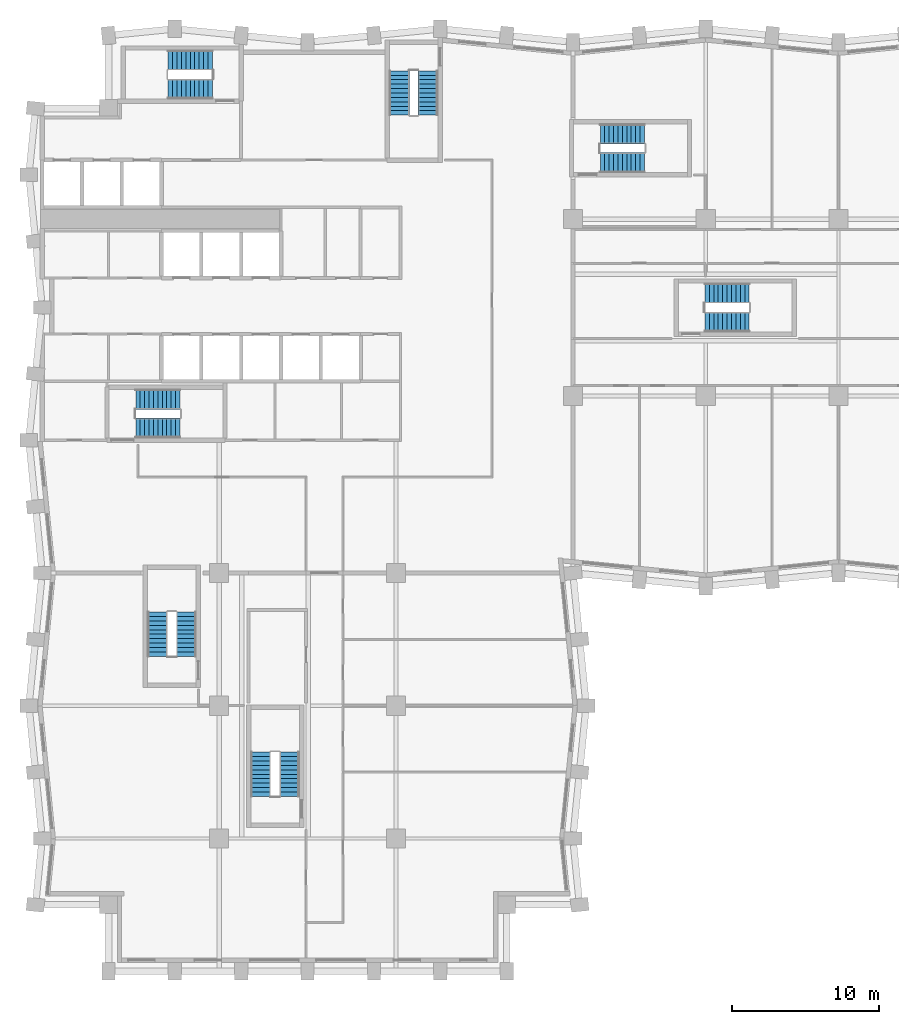
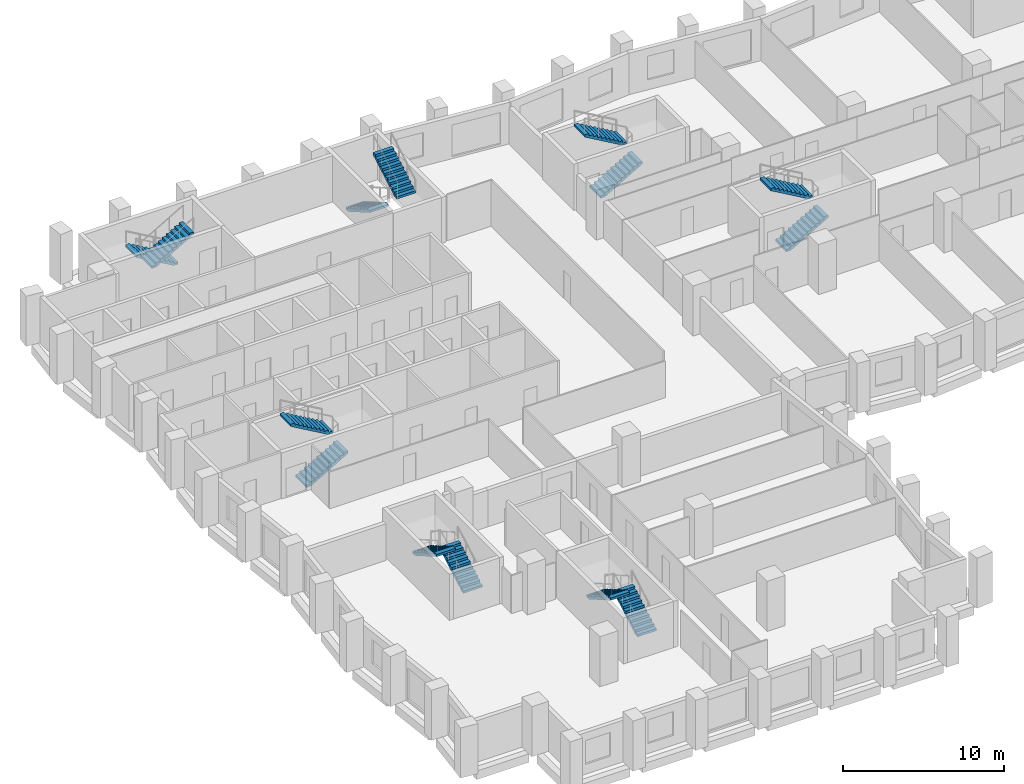
# One storey, part 9 of 11: 14 stair flights, 7 elements without a shape of their own.
"""IFC4 building model written with IfcOpenShell, lengths in metres."""

from ifc_helpers import new_model, si_unit, direction, frame, origin, place, context, subcontext, project, spatial, polyline, outline, extrude, material, type_object, element, aggregate, save


model = new_model("IFC4")

# Units and contexts
model_context = context("Model", 3, precision=1e-05, world=origin(), true_north=direction((0.0, 1.0)))
body_context = subcontext(model_context, "Body", "Model", "MODEL_VIEW")
ifc_project = project(units=[si_unit("LENGTHUNIT", "METRE"), si_unit("AREAUNIT", "SQUARE_METRE"), si_unit("VOLUMEUNIT", "CUBIC_METRE"), si_unit("PLANEANGLEUNIT", "RADIAN"), si_unit("MASSUNIT", "GRAM", prefix="KILO")], contexts=[model_context])

# Site, building, storey
site_placement = place(None, origin())
site = spatial("IfcSite", under=ifc_project, at=site_placement, CompositionType="ELEMENT")
building_placement = place(site_placement, origin())
building = spatial("IfcBuilding", under=site, at=building_placement, Name="Brondeck Convention Tower", CompositionType="ELEMENT")
storey_placement = place(building_placement, frame((0.0, 0.0, 122.699951171875)))
storey = spatial("IfcBuildingStorey", under=building, at=storey_placement, Name="L29", CompositionType="ELEMENT", Elevation=122.699951171875)

# Stair, stair flights
ifc_material = material(Name="Precast concrete C50/60", Category="concrete")
stair_type = type_object("IfcStairType", Name="Core stair 22 risers 172.73 mm riser 300 mm going 1350 wide", PredefinedType="HALF_TURN_STAIR", material=ifc_material)
stair_1_placement = place(storey_placement, origin())
stair_1 = element("IfcStair", 1, at=stair_1_placement, inside=storey, type_object=stair_type, Name="ST-1 L29 stair", PredefinedType="HALF_TURN_STAIR")
stair_flight_type = type_object("IfcStairFlightType", Name="Core stair flight 22 risers 172.73 mm riser 300 mm going 1350 wide", PredefinedType="STRAIGHT", material=ifc_material)
stair_flight_1_placement = place(storey_placement, frame((6.35009765625, 36.824951171875, 0.0), z_axis=(0.0, 0.0, 1.0), x_axis=(1.0, 0.0, 0.0)))
stair_flight_1 = element("IfcStairFlight", 2, at=stair_flight_1_placement, type_object=stair_flight_type, Name="ST-1 flight 1", NumberOfRisers=11, NumberOfTreads=10, PredefinedType="STRAIGHT", RiserHeight=0.172727273, TreadLength=0.3, context=body_context, shape_type="SweptSolid", body=[
    extrude(outline(polyline([(0.0, 0.0), (0.0, 0.172607421875), (0.300048828125, 0.172607421875), (0.300048828125, 0.345458984375), (0.60009765625, 0.345458984375), (0.60009765625, 0.51806640625), (0.89990234375, 0.51806640625), (0.89990234375, 0.69091796875), (1.199951171875, 0.69091796875), (1.199951171875, 0.863525390625), (1.5, 0.863525390625), (1.5, 1.036376953125), (1.800048828125, 1.036376953125), (1.800048828125, 1.208984375), (2.10009765625, 1.208984375), (2.10009765625, 1.3818359375), (2.39990234375, 1.3818359375), (2.39990234375, 1.554443359375), (2.699951171875, 1.554443359375), (2.699951171875, 1.727294921875), (3.0, 1.727294921875), (3.0, 1.89990234375), (3.0, 1.55419921875), (0.300537109375, 0.0), (0.0, 0.0)])), frame((0.0, 0.675048828125, 0.0), z_axis=(0.0, -1.0, 0.0), x_axis=(1.0, 0.0, 0.0)), (0.0, 0.0, 1.0), 1.35009765625),
])
stair_flight_2_placement = place(storey_placement, frame((9.35009765625, 38.77490234375, 1.900146484375), z_axis=(0.0, 0.0, 1.0), x_axis=(-1.0, 0.0, 0.0)))
stair_flight_2 = element("IfcStairFlight", 3, at=stair_flight_2_placement, type_object=stair_flight_type, Name="ST-1 flight 2", NumberOfRisers=11, NumberOfTreads=10, PredefinedType="STRAIGHT", RiserHeight=0.172727273, TreadLength=0.3, context=body_context, shape_type="SweptSolid", body=[
    extrude(outline(polyline([(0.0, 0.0), (0.0, 0.172607421875), (0.300048828125, 0.172607421875), (0.300048828125, 0.345458984375), (0.60009765625, 0.345458984375), (0.60009765625, 0.51806640625), (0.89990234375, 0.51806640625), (0.89990234375, 0.69091796875), (1.199951171875, 0.69091796875), (1.199951171875, 0.863525390625), (1.5, 0.863525390625), (1.5, 1.036376953125), (1.800048828125, 1.036376953125), (1.800048828125, 1.208984375), (2.10009765625, 1.208984375), (2.10009765625, 1.3818359375), (2.39990234375, 1.3818359375), (2.39990234375, 1.554443359375), (2.699951171875, 1.554443359375), (2.699951171875, 1.727294921875), (3.0, 1.727294921875), (3.0, 1.89990234375), (3.0, 1.55419921875), (0.300537109375, 0.0), (0.0, 0.0)])), frame((0.0, 0.675048828125, 0.0), z_axis=(0.0, -1.0, 0.0), x_axis=(1.0, 0.0, 0.0)), (0.0, 0.0, 1.0), 1.35009765625),
])
aggregate(stair_1, [stair_flight_1, stair_flight_2])

stair_2_placement = place(storey_placement, origin())
stair_2 = element("IfcStair", 4, at=stair_2_placement, inside=storey, type_object=stair_type, Name="ST-2 L29 stair", PredefinedType="HALF_TURN_STAIR")
stair_flight_3_placement = place(storey_placement, frame((24.22509765625, 61.050048828125, 0.0), z_axis=(0.0, 0.0, 1.0), x_axis=(0.0, -1.0, 0.0)))
stair_flight_3 = element("IfcStairFlight", 5, at=stair_flight_3_placement, type_object=stair_flight_type, Name="ST-2 flight 1", NumberOfRisers=11, NumberOfTreads=10, PredefinedType="STRAIGHT", RiserHeight=0.172727273, TreadLength=0.3, context=body_context, shape_type="SweptSolid", body=[
    extrude(outline(polyline([(0.0, 0.0), (0.0, 0.172607421875), (0.300048828125, 0.172607421875), (0.300048828125, 0.345458984375), (0.60009765625, 0.345458984375), (0.60009765625, 0.51806640625), (0.89990234375, 0.51806640625), (0.89990234375, 0.69091796875), (1.199951171875, 0.69091796875), (1.199951171875, 0.863525390625), (1.5, 0.863525390625), (1.5, 1.036376953125), (1.800048828125, 1.036376953125), (1.800048828125, 1.208984375), (2.10009765625, 1.208984375), (2.10009765625, 1.3818359375), (2.39990234375, 1.3818359375), (2.39990234375, 1.554443359375), (2.699951171875, 1.554443359375), (2.699951171875, 1.727294921875), (3.0, 1.727294921875), (3.0, 1.89990234375), (3.0, 1.55419921875), (0.300537109375, 0.0), (0.0, 0.0)])), frame((0.0, 0.675048828125, 0.0), z_axis=(0.0, -1.0, 0.0), x_axis=(1.0, 0.0, 0.0)), (0.0, 0.0, 1.0), 1.35009765625),
])
stair_flight_4_placement = place(storey_placement, frame((26.175048828125, 58.050048828125, 1.900146484375), z_axis=(0.0, 0.0, 1.0), x_axis=(0.0, 1.0, 0.0)))
stair_flight_4 = element("IfcStairFlight", 6, at=stair_flight_4_placement, type_object=stair_flight_type, Name="ST-2 flight 2", NumberOfRisers=11, NumberOfTreads=10, PredefinedType="STRAIGHT", RiserHeight=0.172727273, TreadLength=0.3, context=body_context, shape_type="SweptSolid", body=[
    extrude(outline(polyline([(0.0, 0.0), (0.0, 0.172607421875), (0.300048828125, 0.172607421875), (0.300048828125, 0.345458984375), (0.60009765625, 0.345458984375), (0.60009765625, 0.51806640625), (0.89990234375, 0.51806640625), (0.89990234375, 0.69091796875), (1.199951171875, 0.69091796875), (1.199951171875, 0.863525390625), (1.5, 0.863525390625), (1.5, 1.036376953125), (1.800048828125, 1.036376953125), (1.800048828125, 1.208984375), (2.10009765625, 1.208984375), (2.10009765625, 1.3818359375), (2.39990234375, 1.3818359375), (2.39990234375, 1.554443359375), (2.699951171875, 1.554443359375), (2.699951171875, 1.727294921875), (3.0, 1.727294921875), (3.0, 1.89990234375), (3.0, 1.55419921875), (0.300537109375, 0.0), (0.0, 0.0)])), frame((0.0, 0.675048828125, 0.0), z_axis=(0.0, -1.0, 0.0), x_axis=(1.0, 0.0, 0.0)), (0.0, 0.0, 1.0), 1.35009765625),
])
aggregate(stair_2, [stair_flight_3, stair_flight_4])

stair_3_placement = place(storey_placement, origin())
stair_3 = element("IfcStair", 7, at=stair_3_placement, inside=storey, type_object=stair_type, Name="ST-3 L29 stair", PredefinedType="HALF_TURN_STAIR")
stair_flight_5_placement = place(storey_placement, frame((11.550048828125, 61.77490234375, 0.0), z_axis=(0.0, 0.0, 1.0), x_axis=(-1.0, 0.0, 0.0)))
stair_flight_5 = element("IfcStairFlight", 8, at=stair_flight_5_placement, type_object=stair_flight_type, Name="ST-3 flight 1", NumberOfRisers=11, NumberOfTreads=10, PredefinedType="STRAIGHT", RiserHeight=0.172727273, TreadLength=0.3, context=body_context, shape_type="SweptSolid", body=[
    extrude(outline(polyline([(0.0, 0.0), (0.0, 0.172607421875), (0.300048828125, 0.172607421875), (0.300048828125, 0.345458984375), (0.60009765625, 0.345458984375), (0.60009765625, 0.51806640625), (0.89990234375, 0.51806640625), (0.89990234375, 0.69091796875), (1.199951171875, 0.69091796875), (1.199951171875, 0.863525390625), (1.5, 0.863525390625), (1.5, 1.036376953125), (1.800048828125, 1.036376953125), (1.800048828125, 1.208984375), (2.10009765625, 1.208984375), (2.10009765625, 1.3818359375), (2.39990234375, 1.3818359375), (2.39990234375, 1.554443359375), (2.699951171875, 1.554443359375), (2.699951171875, 1.727294921875), (3.0, 1.727294921875), (3.0, 1.89990234375), (3.0, 1.55419921875), (0.300537109375, 0.0), (0.0, 0.0)])), frame((0.0, 0.675048828125, 0.0), z_axis=(0.0, -1.0, 0.0), x_axis=(1.0, 0.0, 0.0)), (0.0, 0.0, 1.0), 1.35009765625),
])
stair_flight_6_placement = place(storey_placement, frame((8.550048828125, 59.824951171875, 1.900146484375), z_axis=(0.0, 0.0, 1.0), x_axis=(1.0, 0.0, 0.0)))
stair_flight_6 = element("IfcStairFlight", 9, at=stair_flight_6_placement, type_object=stair_flight_type, Name="ST-3 flight 2", NumberOfRisers=11, NumberOfTreads=10, PredefinedType="STRAIGHT", RiserHeight=0.172727273, TreadLength=0.3, context=body_context, shape_type="SweptSolid", body=[
    extrude(outline(polyline([(0.0, 0.0), (0.0, 0.172607421875), (0.300048828125, 0.172607421875), (0.300048828125, 0.345458984375), (0.60009765625, 0.345458984375), (0.60009765625, 0.51806640625), (0.89990234375, 0.51806640625), (0.89990234375, 0.69091796875), (1.199951171875, 0.69091796875), (1.199951171875, 0.863525390625), (1.5, 0.863525390625), (1.5, 1.036376953125), (1.800048828125, 1.036376953125), (1.800048828125, 1.208984375), (2.10009765625, 1.208984375), (2.10009765625, 1.3818359375), (2.39990234375, 1.3818359375), (2.39990234375, 1.554443359375), (2.699951171875, 1.554443359375), (2.699951171875, 1.727294921875), (3.0, 1.727294921875), (3.0, 1.89990234375), (3.0, 1.55419921875), (0.300537109375, 0.0), (0.0, 0.0)])), frame((0.0, 0.675048828125, 0.0), z_axis=(0.0, -1.0, 0.0), x_axis=(1.0, 0.0, 0.0)), (0.0, 0.0, 1.0), 1.35009765625),
])
aggregate(stair_3, [stair_flight_5, stair_flight_6])

stair_4_placement = place(storey_placement, origin())
stair_4 = element("IfcStair", 10, at=stair_4_placement, inside=storey, type_object=stair_type, Name="ST-AE L29 stair", PredefinedType="HALF_TURN_STAIR")
stair_flight_7_placement = place(storey_placement, frame((37.85009765625, 54.824951171875, 0.0), z_axis=(0.0, 0.0, 1.0), x_axis=(1.0, 0.0, 0.0)))
stair_flight_7 = element("IfcStairFlight", 11, at=stair_flight_7_placement, type_object=stair_flight_type, Name="ST-AE flight 1", NumberOfRisers=11, NumberOfTreads=10, PredefinedType="STRAIGHT", RiserHeight=0.172727273, TreadLength=0.3, context=body_context, shape_type="SweptSolid", body=[
    extrude(outline(polyline([(0.0, 0.0), (0.0, 0.172607421875), (0.300048828125, 0.172607421875), (0.300048828125, 0.345458984375), (0.60009765625, 0.345458984375), (0.60009765625, 0.51806640625), (0.89990234375, 0.51806640625), (0.89990234375, 0.69091796875), (1.199951171875, 0.69091796875), (1.199951171875, 0.863525390625), (1.5, 0.863525390625), (1.5, 1.036376953125), (1.800048828125, 1.036376953125), (1.800048828125, 1.208984375), (2.10009765625, 1.208984375), (2.10009765625, 1.3818359375), (2.39990234375, 1.3818359375), (2.39990234375, 1.554443359375), (2.699951171875, 1.554443359375), (2.699951171875, 1.727294921875), (3.0, 1.727294921875), (3.0, 1.89990234375), (3.0, 1.55419921875), (0.300537109375, 0.0), (0.0, 0.0)])), frame((0.0, 0.675048828125, 0.0), z_axis=(0.0, -1.0, 0.0), x_axis=(1.0, 0.0, 0.0)), (0.0, 0.0, 1.0), 1.35009765625),
])
stair_flight_8_placement = place(storey_placement, frame((40.85009765625, 56.77490234375, 1.900146484375), z_axis=(0.0, 0.0, 1.0), x_axis=(-1.0, 0.0, 0.0)))
stair_flight_8 = element("IfcStairFlight", 12, at=stair_flight_8_placement, type_object=stair_flight_type, Name="ST-AE flight 2", NumberOfRisers=11, NumberOfTreads=10, PredefinedType="STRAIGHT", RiserHeight=0.172727273, TreadLength=0.3, context=body_context, shape_type="SweptSolid", body=[
    extrude(outline(polyline([(0.0, 0.0), (0.0, 0.172607421875), (0.300048828125, 0.172607421875), (0.300048828125, 0.345458984375), (0.60009765625, 0.345458984375), (0.60009765625, 0.51806640625), (0.89990234375, 0.51806640625), (0.89990234375, 0.69091796875), (1.199951171875, 0.69091796875), (1.199951171875, 0.863525390625), (1.5, 0.863525390625), (1.5, 1.036376953125), (1.800048828125, 1.036376953125), (1.800048828125, 1.208984375), (2.10009765625, 1.208984375), (2.10009765625, 1.3818359375), (2.39990234375, 1.3818359375), (2.39990234375, 1.554443359375), (2.699951171875, 1.554443359375), (2.699951171875, 1.727294921875), (3.0, 1.727294921875), (3.0, 1.89990234375), (3.0, 1.55419921875), (0.300537109375, 0.0), (0.0, 0.0)])), frame((0.0, 0.675048828125, 0.0), z_axis=(0.0, -1.0, 0.0), x_axis=(1.0, 0.0, 0.0)), (0.0, 0.0, 1.0), 1.35009765625),
])
aggregate(stair_4, [stair_flight_7, stair_flight_8])

stair_5_placement = place(storey_placement, origin())
stair_5 = element("IfcStair", 13, at=stair_5_placement, inside=storey, type_object=stair_type, Name="ST-BE L29 stair", PredefinedType="HALF_TURN_STAIR")
stair_flight_9_placement = place(storey_placement, frame((9.77490234375, 21.35009765625, 0.0), z_axis=(0.0, 0.0, 1.0), x_axis=(0.0, 1.0, 0.0)))
stair_flight_9 = element("IfcStairFlight", 14, at=stair_flight_9_placement, type_object=stair_flight_type, Name="ST-BE flight 1", NumberOfRisers=11, NumberOfTreads=10, PredefinedType="STRAIGHT", RiserHeight=0.172727273, TreadLength=0.3, context=body_context, shape_type="SweptSolid", body=[
    extrude(outline(polyline([(0.0, 0.0), (0.0, 0.172607421875), (0.300048828125, 0.172607421875), (0.300048828125, 0.345458984375), (0.60009765625, 0.345458984375), (0.60009765625, 0.51806640625), (0.89990234375, 0.51806640625), (0.89990234375, 0.69091796875), (1.199951171875, 0.69091796875), (1.199951171875, 0.863525390625), (1.5, 0.863525390625), (1.5, 1.036376953125), (1.800048828125, 1.036376953125), (1.800048828125, 1.208984375), (2.10009765625, 1.208984375), (2.10009765625, 1.3818359375), (2.39990234375, 1.3818359375), (2.39990234375, 1.554443359375), (2.699951171875, 1.554443359375), (2.699951171875, 1.727294921875), (3.0, 1.727294921875), (3.0, 1.89990234375), (3.0, 1.55419921875), (0.300537109375, 0.0), (0.0, 0.0)])), frame((0.0, 0.675048828125, 0.0), z_axis=(0.0, -1.0, 0.0), x_axis=(1.0, 0.0, 0.0)), (0.0, 0.0, 1.0), 1.35009765625),
])
stair_flight_10_placement = place(storey_placement, frame((7.824951171875, 24.35009765625, 1.900146484375), z_axis=(0.0, 0.0, 1.0), x_axis=(0.0, -1.0, 0.0)))
stair_flight_10 = element("IfcStairFlight", 15, at=stair_flight_10_placement, type_object=stair_flight_type, Name="ST-BE flight 2", NumberOfRisers=11, NumberOfTreads=10, PredefinedType="STRAIGHT", RiserHeight=0.172727273, TreadLength=0.3, context=body_context, shape_type="SweptSolid", body=[
    extrude(outline(polyline([(0.0, 0.0), (0.0, 0.172607421875), (0.300048828125, 0.172607421875), (0.300048828125, 0.345458984375), (0.60009765625, 0.345458984375), (0.60009765625, 0.51806640625), (0.89990234375, 0.51806640625), (0.89990234375, 0.69091796875), (1.199951171875, 0.69091796875), (1.199951171875, 0.863525390625), (1.5, 0.863525390625), (1.5, 1.036376953125), (1.800048828125, 1.036376953125), (1.800048828125, 1.208984375), (2.10009765625, 1.208984375), (2.10009765625, 1.3818359375), (2.39990234375, 1.3818359375), (2.39990234375, 1.554443359375), (2.699951171875, 1.554443359375), (2.699951171875, 1.727294921875), (3.0, 1.727294921875), (3.0, 1.89990234375), (3.0, 1.55419921875), (0.300537109375, 0.0), (0.0, 0.0)])), frame((0.0, 0.675048828125, 0.0), z_axis=(0.0, -1.0, 0.0), x_axis=(1.0, 0.0, 0.0)), (0.0, 0.0, 1.0), 1.35009765625),
])
aggregate(stair_5, [stair_flight_9, stair_flight_10])

stair_6_placement = place(storey_placement, origin())
stair_6 = element("IfcStair", 16, at=stair_6_placement, inside=storey, type_object=stair_type, Name="ST-AF L29 stair", PredefinedType="HALF_TURN_STAIR")
stair_flight_11_placement = place(storey_placement, frame((44.949951171875, 44.02490234375, 0.0), z_axis=(0.0, 0.0, 1.0), x_axis=(1.0, 0.0, 0.0)))
stair_flight_11 = element("IfcStairFlight", 17, at=stair_flight_11_placement, type_object=stair_flight_type, Name="ST-AF flight 1", NumberOfRisers=11, NumberOfTreads=10, PredefinedType="STRAIGHT", RiserHeight=0.172727273, TreadLength=0.3, context=body_context, shape_type="SweptSolid", body=[
    extrude(outline(polyline([(0.0, 0.0), (0.0, 0.172607421875), (0.300048828125, 0.172607421875), (0.300048828125, 0.345458984375), (0.60009765625, 0.345458984375), (0.60009765625, 0.51806640625), (0.89990234375, 0.51806640625), (0.89990234375, 0.69091796875), (1.199951171875, 0.69091796875), (1.199951171875, 0.863525390625), (1.5, 0.863525390625), (1.5, 1.036376953125), (1.800048828125, 1.036376953125), (1.800048828125, 1.208984375), (2.10009765625, 1.208984375), (2.10009765625, 1.3818359375), (2.39990234375, 1.3818359375), (2.39990234375, 1.554443359375), (2.699951171875, 1.554443359375), (2.699951171875, 1.727294921875), (3.0, 1.727294921875), (3.0, 1.89990234375), (3.0, 1.55419921875), (0.300537109375, 0.0), (0.0, 0.0)])), frame((0.0, 0.675048828125, 0.0), z_axis=(0.0, -1.0, 0.0), x_axis=(1.0, 0.0, 0.0)), (0.0, 0.0, 1.0), 1.35009765625),
])
stair_flight_12_placement = place(storey_placement, frame((47.949951171875, 45.97509765625, 1.900146484375), z_axis=(0.0, 0.0, 1.0), x_axis=(-1.0, 0.0, 0.0)))
stair_flight_12 = element("IfcStairFlight", 18, at=stair_flight_12_placement, type_object=stair_flight_type, Name="ST-AF flight 2", NumberOfRisers=11, NumberOfTreads=10, PredefinedType="STRAIGHT", RiserHeight=0.172727273, TreadLength=0.3, context=body_context, shape_type="SweptSolid", body=[
    extrude(outline(polyline([(0.0, 0.0), (0.0, 0.172607421875), (0.300048828125, 0.172607421875), (0.300048828125, 0.345458984375), (0.60009765625, 0.345458984375), (0.60009765625, 0.51806640625), (0.89990234375, 0.51806640625), (0.89990234375, 0.69091796875), (1.199951171875, 0.69091796875), (1.199951171875, 0.863525390625), (1.5, 0.863525390625), (1.5, 1.036376953125), (1.800048828125, 1.036376953125), (1.800048828125, 1.208984375), (2.10009765625, 1.208984375), (2.10009765625, 1.3818359375), (2.39990234375, 1.3818359375), (2.39990234375, 1.554443359375), (2.699951171875, 1.554443359375), (2.699951171875, 1.727294921875), (3.0, 1.727294921875), (3.0, 1.89990234375), (3.0, 1.55419921875), (0.300537109375, 0.0), (0.0, 0.0)])), frame((0.0, 0.675048828125, 0.0), z_axis=(0.0, -1.0, 0.0), x_axis=(1.0, 0.0, 0.0)), (0.0, 0.0, 1.0), 1.35009765625),
])
aggregate(stair_6, [stair_flight_11, stair_flight_12])

stair_7_placement = place(storey_placement, origin())
stair_7 = element("IfcStair", 19, at=stair_7_placement, inside=storey, type_object=stair_type, Name="ST-BF L29 stair", PredefinedType="HALF_TURN_STAIR")
stair_flight_13_placement = place(storey_placement, frame((16.77490234375, 11.85009765625, 0.0), z_axis=(0.0, 0.0, 1.0), x_axis=(0.0, 1.0, 0.0)))
stair_flight_13 = element("IfcStairFlight", 20, at=stair_flight_13_placement, type_object=stair_flight_type, Name="ST-BF flight 1", NumberOfRisers=11, NumberOfTreads=10, PredefinedType="STRAIGHT", RiserHeight=0.172727273, TreadLength=0.3, context=body_context, shape_type="SweptSolid", body=[
    extrude(outline(polyline([(0.0, 0.0), (0.0, 0.172607421875), (0.300048828125, 0.172607421875), (0.300048828125, 0.345458984375), (0.60009765625, 0.345458984375), (0.60009765625, 0.51806640625), (0.89990234375, 0.51806640625), (0.89990234375, 0.69091796875), (1.199951171875, 0.69091796875), (1.199951171875, 0.863525390625), (1.5, 0.863525390625), (1.5, 1.036376953125), (1.800048828125, 1.036376953125), (1.800048828125, 1.208984375), (2.10009765625, 1.208984375), (2.10009765625, 1.3818359375), (2.39990234375, 1.3818359375), (2.39990234375, 1.554443359375), (2.699951171875, 1.554443359375), (2.699951171875, 1.727294921875), (3.0, 1.727294921875), (3.0, 1.89990234375), (3.0, 1.55419921875), (0.300537109375, 0.0), (0.0, 0.0)])), frame((0.0, 0.675048828125, 0.0), z_axis=(0.0, -1.0, 0.0), x_axis=(1.0, 0.0, 0.0)), (0.0, 0.0, 1.0), 1.35009765625),
])
stair_flight_14_placement = place(storey_placement, frame((14.824951171875, 14.85009765625, 1.900146484375), z_axis=(0.0, 0.0, 1.0), x_axis=(0.0, -1.0, 0.0)))
stair_flight_14 = element("IfcStairFlight", 21, at=stair_flight_14_placement, type_object=stair_flight_type, Name="ST-BF flight 2", NumberOfRisers=11, NumberOfTreads=10, PredefinedType="STRAIGHT", RiserHeight=0.172727273, TreadLength=0.3, context=body_context, shape_type="SweptSolid", body=[
    extrude(outline(polyline([(0.0, 0.0), (0.0, 0.172607421875), (0.300048828125, 0.172607421875), (0.300048828125, 0.345458984375), (0.60009765625, 0.345458984375), (0.60009765625, 0.51806640625), (0.89990234375, 0.51806640625), (0.89990234375, 0.69091796875), (1.199951171875, 0.69091796875), (1.199951171875, 0.863525390625), (1.5, 0.863525390625), (1.5, 1.036376953125), (1.800048828125, 1.036376953125), (1.800048828125, 1.208984375), (2.10009765625, 1.208984375), (2.10009765625, 1.3818359375), (2.39990234375, 1.3818359375), (2.39990234375, 1.554443359375), (2.699951171875, 1.554443359375), (2.699951171875, 1.727294921875), (3.0, 1.727294921875), (3.0, 1.89990234375), (3.0, 1.55419921875), (0.300537109375, 0.0), (0.0, 0.0)])), frame((0.0, 0.675048828125, 0.0), z_axis=(0.0, -1.0, 0.0), x_axis=(1.0, 0.0, 0.0)), (0.0, 0.0, 1.0), 1.35009765625),
])
aggregate(stair_7, [stair_flight_13, stair_flight_14])

save(model, "model.ifc")
